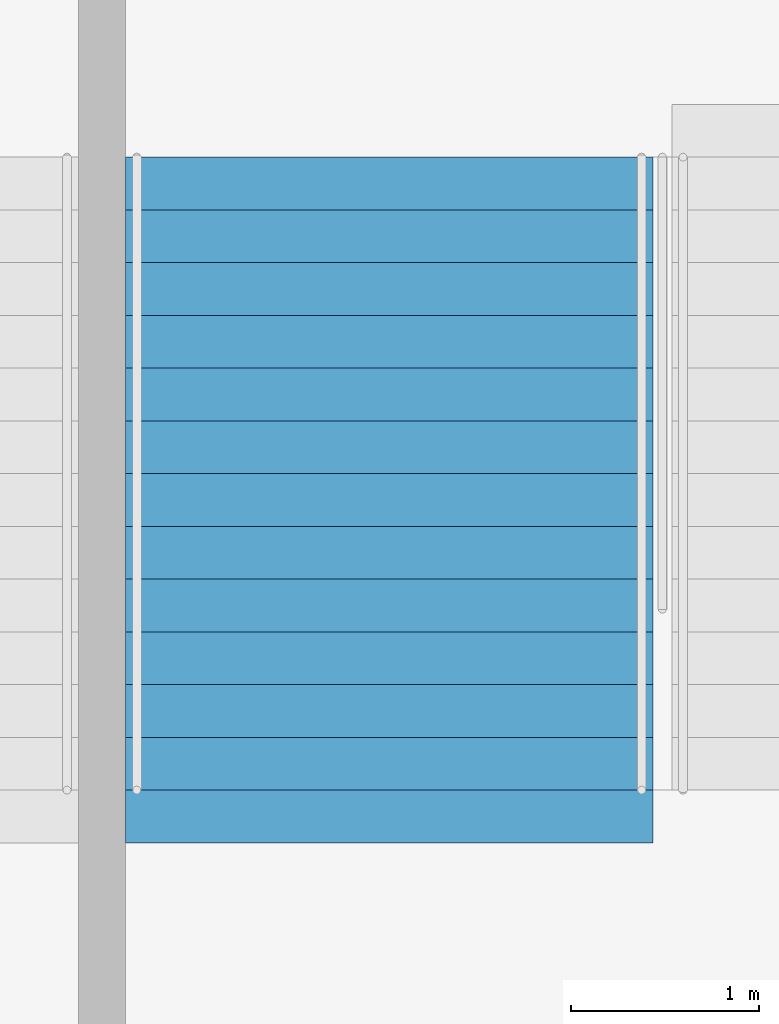
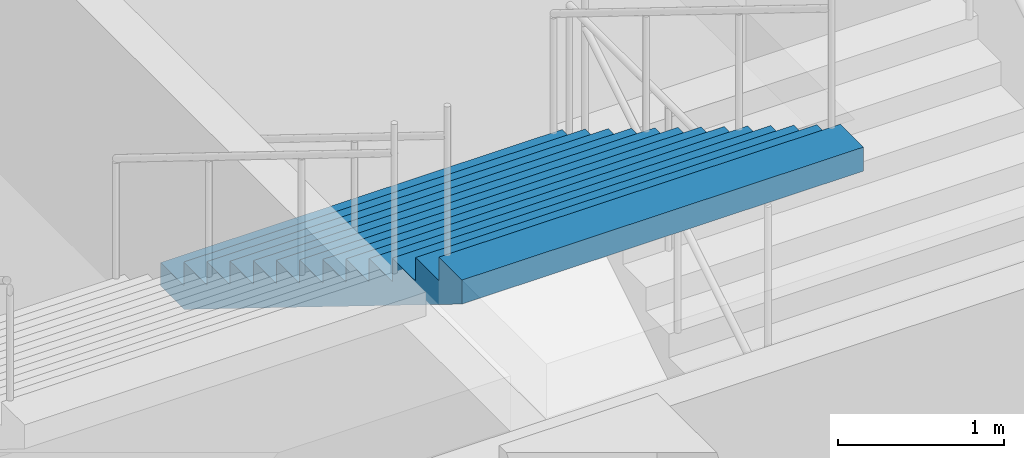
# One storey, part 134 of 175: 1 stair flight, 1 element without a shape of its own.
"""IFC4 building model written with IfcOpenShell, lengths in metres."""

from ifc_helpers import new_model, si_unit, direction, frame, origin, place, context, subcontext, project, spatial, faceted_brep, material, type_object, element, aggregate, save


model = new_model("IFC4")

# Units and contexts
model_context = context("Model", 3, precision=1e-05, world=origin(), true_north=direction((0.0, 1.0)))
body_context = subcontext(model_context, "Body", "Model", "MODEL_VIEW")
ifc_project = project(units=[si_unit("LENGTHUNIT", "METRE"), si_unit("AREAUNIT", "SQUARE_METRE"), si_unit("VOLUMEUNIT", "CUBIC_METRE"), si_unit("PLANEANGLEUNIT", "RADIAN"), si_unit("MASSUNIT", "GRAM", prefix="KILO")], contexts=[model_context])

# Site, building, storey
site_placement = place(None, origin())
site = spatial("IfcSite", under=ifc_project, at=site_placement, CompositionType="ELEMENT")
building_placement = place(site_placement, origin())
building = spatial("IfcBuilding", under=site, at=building_placement, Name="Ogive Plaza Stadium", CompositionType="ELEMENT")
storey_placement = place(building_placement, origin())
storey = spatial("IfcBuildingStorey", under=building, at=storey_placement, Name="L00", CompositionType="ELEMENT", Elevation=0.0)

# Stair, stair flight
ifc_material_1 = material(Name="Concrete C40/50", Category="concrete")
stair_type = type_object("IfcStairType", Name="Exit stair", PredefinedType="STRAIGHT_RUN_STAIR", material=ifc_material_1)
stair_placement = place(storey_placement, origin())
stair = element("IfcStair", 1, at=stair_placement, inside=storey, type_object=stair_type, Name="Exit stair ST34A L00 to L01", PredefinedType="STRAIGHT_RUN_STAIR")
ifc_material_2 = material(Name="Concrete C40/50", Category="concrete")
stair_flight_type = type_object("IfcStairFlightType", Name="Exit stair flight", PredefinedType="STRAIGHT", material=ifc_material_2)
stair_flight_placement = place(storey_placement, frame((-5.27490234375, 98.2099609375, 2.25), z_axis=(0.0, 0.0, 1.0), x_axis=(0.0, -1.0, 0.0)))
stair_flight = element("IfcStairFlight", 2, at=stair_flight_placement, type_object=stair_flight_type, Name="ST34A flight 2", NumberOfRisers=13, NumberOfTreads=12, PredefinedType="STRAIGHT", RiserHeight=0.173076923, TreadLength=0.28, context=body_context, shape_type="Brep", body=[
    faceted_brep([(0.28515625, -1.39990234375, 0.0), (3.639892578125, -1.39990234375, 2.07373046875), (3.639892578125, -1.39990234375, 2.25), (3.360107421875, -1.39990234375, 2.25), (3.360107421875, -1.39990234375, 2.076904296875), (3.080078125, -1.39990234375, 2.076904296875), (3.080078125, -1.39990234375, 1.90380859375), (2.800048828125, -1.39990234375, 1.90380859375), (2.800048828125, -1.39990234375, 1.730712890625), (2.52001953125, -1.39990234375, 1.730712890625), (2.52001953125, -1.39990234375, 1.5576171875), (2.239990234375, -1.39990234375, 1.5576171875), (2.239990234375, -1.39990234375, 1.384521484375), (1.9599609375, -1.39990234375, 1.384521484375), (1.9599609375, -1.39990234375, 1.21142578125), (1.679931640625, -1.39990234375, 1.21142578125), (1.679931640625, -1.39990234375, 1.03857421875), (1.39990234375, -1.39990234375, 1.03857421875), (1.39990234375, -1.39990234375, 0.865478515625), (1.1201171875, -1.39990234375, 0.865478515625), (1.1201171875, -1.39990234375, 0.6923828125), (0.840087890625, -1.39990234375, 0.6923828125), (0.840087890625, -1.39990234375, 0.519287109375), (0.56005859375, -1.39990234375, 0.519287109375), (0.56005859375, -1.39990234375, 0.34619140625), (0.280029296875, -1.39990234375, 0.34619140625), (0.280029296875, -1.39990234375, 0.173095703125), (0.0, -1.39990234375, 0.173095703125), (0.0, -1.39990234375, 0.0), (0.0, 1.39990234375, 0.0), (0.0, 1.39990234375, 0.173095703125), (0.280029296875, 1.39990234375, 0.173095703125), (0.280029296875, 1.39990234375, 0.34619140625), (0.56005859375, 1.39990234375, 0.34619140625), (0.56005859375, 1.39990234375, 0.519287109375), (0.840087890625, 1.39990234375, 0.519287109375), (0.840087890625, 1.39990234375, 0.6923828125), (1.1201171875, 1.39990234375, 0.6923828125), (1.1201171875, 1.39990234375, 0.865478515625), (1.39990234375, 1.39990234375, 0.865478515625), (1.39990234375, 1.39990234375, 1.03857421875), (1.679931640625, 1.39990234375, 1.03857421875), (1.679931640625, 1.39990234375, 1.21142578125), (1.9599609375, 1.39990234375, 1.21142578125), (1.9599609375, 1.39990234375, 1.384521484375), (2.239990234375, 1.39990234375, 1.384521484375), (2.239990234375, 1.39990234375, 1.5576171875), (2.52001953125, 1.39990234375, 1.5576171875), (2.52001953125, 1.39990234375, 1.730712890625), (2.800048828125, 1.39990234375, 1.730712890625), (2.800048828125, 1.39990234375, 1.90380859375), (3.080078125, 1.39990234375, 1.90380859375), (3.080078125, 1.39990234375, 2.076904296875), (3.360107421875, 1.39990234375, 2.076904296875), (3.360107421875, 1.39990234375, 2.25), (3.639892578125, 1.39990234375, 2.25), (3.639892578125, 1.39990234375, 2.07373046875), (0.28515625, 1.39990234375, 0.0), (0.28515625, -1.0888671875, 0.0), (3.639892578125, -1.0888671875, 2.07373046875), (0.28515625, -0.77783203125, 0.0), (3.639892578125, -0.77783203125, 2.07373046875), (0.28515625, -0.466796875, 0.0), (3.639892578125, -0.466796875, 2.07373046875), (0.28515625, -0.155517578125, 0.0), (3.639892578125, -0.155517578125, 2.07373046875), (0.28515625, 0.155517578125, 0.0), (3.639892578125, 0.155517578125, 2.07373046875), (0.28515625, 0.466796875, 0.0), (3.639892578125, 0.466796875, 2.07373046875), (0.28515625, 0.77783203125, 0.0), (3.639892578125, 0.77783203125, 2.07373046875), (0.28515625, 1.0888671875, 0.0), (3.639892578125, 1.0888671875, 2.07373046875), (3.639892578125, -1.0888671875, 2.25), (3.639892578125, -0.77783203125, 2.25), (3.639892578125, -0.466796875, 2.25), (3.639892578125, -0.155517578125, 2.25), (3.639892578125, 0.155517578125, 2.25), (3.639892578125, 0.466796875, 2.25), (3.639892578125, 0.77783203125, 2.25), (3.639892578125, 1.0888671875, 2.25), (3.360107421875, -1.0888671875, 2.25), (3.360107421875, -0.77783203125, 2.25), (3.360107421875, -0.466796875, 2.25), (3.360107421875, -0.155517578125, 2.25), (3.360107421875, 0.155517578125, 2.25), (3.360107421875, 0.466796875, 2.25), (3.360107421875, 0.77783203125, 2.25), (3.360107421875, 1.0888671875, 2.25), (3.360107421875, -1.0888671875, 2.076904296875), (3.360107421875, -0.77783203125, 2.076904296875), (3.360107421875, -0.466796875, 2.076904296875), (3.360107421875, -0.155517578125, 2.076904296875), (3.360107421875, 0.155517578125, 2.076904296875), (3.360107421875, 0.466796875, 2.076904296875), (3.360107421875, 0.77783203125, 2.076904296875), (3.360107421875, 1.0888671875, 2.076904296875), (3.080078125, -1.0888671875, 2.076904296875), (3.080078125, -0.77783203125, 2.076904296875), (3.080078125, -0.466796875, 2.076904296875), (3.080078125, -0.155517578125, 2.076904296875), (3.080078125, 0.155517578125, 2.076904296875), (3.080078125, 0.466796875, 2.076904296875), (3.080078125, 0.77783203125, 2.076904296875), (3.080078125, 1.0888671875, 2.076904296875), (3.080078125, -1.0888671875, 1.90380859375), (3.080078125, -0.77783203125, 1.90380859375), (3.080078125, -0.466796875, 1.90380859375), (3.080078125, -0.155517578125, 1.90380859375), (3.080078125, 0.155517578125, 1.90380859375), (3.080078125, 0.466796875, 1.90380859375), (3.080078125, 0.77783203125, 1.90380859375), (3.080078125, 1.0888671875, 1.90380859375), (2.800048828125, -1.0888671875, 1.90380859375), (2.800048828125, -0.77783203125, 1.90380859375), (2.800048828125, -0.466796875, 1.90380859375), (2.800048828125, -0.155517578125, 1.90380859375), (2.800048828125, 0.155517578125, 1.90380859375), (2.800048828125, 0.466796875, 1.90380859375), (2.800048828125, 0.77783203125, 1.90380859375), (2.800048828125, 1.0888671875, 1.90380859375), (2.800048828125, -1.0888671875, 1.730712890625), (2.800048828125, -0.77783203125, 1.730712890625), (2.800048828125, -0.466796875, 1.730712890625), (2.800048828125, -0.155517578125, 1.730712890625), (2.800048828125, 0.155517578125, 1.730712890625), (2.800048828125, 0.466796875, 1.730712890625), (2.800048828125, 0.77783203125, 1.730712890625), (2.800048828125, 1.0888671875, 1.730712890625), (2.52001953125, -1.0888671875, 1.730712890625), (2.52001953125, -0.77783203125, 1.730712890625), (2.52001953125, -0.466796875, 1.730712890625), (2.52001953125, -0.155517578125, 1.730712890625), (2.52001953125, 0.155517578125, 1.730712890625), (2.52001953125, 0.466796875, 1.730712890625), (2.52001953125, 0.77783203125, 1.730712890625), (2.52001953125, 1.0888671875, 1.730712890625), (2.52001953125, -1.0888671875, 1.5576171875), (2.52001953125, -0.77783203125, 1.5576171875), (2.52001953125, -0.466796875, 1.5576171875), (2.52001953125, -0.155517578125, 1.5576171875), (2.52001953125, 0.155517578125, 1.5576171875), (2.52001953125, 0.466796875, 1.5576171875), (2.52001953125, 0.77783203125, 1.5576171875), (2.52001953125, 1.0888671875, 1.5576171875), (2.239990234375, -1.0888671875, 1.5576171875), (2.239990234375, -0.77783203125, 1.5576171875), (2.239990234375, -0.466796875, 1.5576171875), (2.239990234375, -0.155517578125, 1.5576171875), (2.239990234375, 0.155517578125, 1.5576171875), (2.239990234375, 0.466796875, 1.5576171875), (2.239990234375, 0.77783203125, 1.5576171875), (2.239990234375, 1.0888671875, 1.5576171875), (2.239990234375, -1.0888671875, 1.384521484375), (2.239990234375, -0.77783203125, 1.384521484375), (2.239990234375, -0.466796875, 1.384521484375), (2.239990234375, -0.155517578125, 1.384521484375), (2.239990234375, 0.155517578125, 1.384521484375), (2.239990234375, 0.466796875, 1.384521484375), (2.239990234375, 0.77783203125, 1.384521484375), (2.239990234375, 1.0888671875, 1.384521484375), (1.9599609375, -1.0888671875, 1.384521484375), (1.9599609375, -0.77783203125, 1.384521484375), (1.9599609375, -0.466796875, 1.384521484375), (1.9599609375, -0.155517578125, 1.384521484375), (1.9599609375, 0.155517578125, 1.384521484375), (1.9599609375, 0.466796875, 1.384521484375), (1.9599609375, 0.77783203125, 1.384521484375), (1.9599609375, 1.0888671875, 1.384521484375), (1.9599609375, -1.0888671875, 1.21142578125), (1.9599609375, -0.77783203125, 1.21142578125), (1.9599609375, -0.466796875, 1.21142578125), (1.9599609375, -0.155517578125, 1.21142578125), (1.9599609375, 0.155517578125, 1.21142578125), (1.9599609375, 0.466796875, 1.21142578125), (1.9599609375, 0.77783203125, 1.21142578125), (1.9599609375, 1.0888671875, 1.21142578125), (1.679931640625, -1.0888671875, 1.21142578125), (1.679931640625, -0.77783203125, 1.21142578125), (1.679931640625, -0.466796875, 1.21142578125), (1.679931640625, -0.155517578125, 1.21142578125), (1.679931640625, 0.155517578125, 1.21142578125), (1.679931640625, 0.466796875, 1.21142578125), (1.679931640625, 0.77783203125, 1.21142578125), (1.679931640625, 1.0888671875, 1.21142578125), (1.679931640625, -1.0888671875, 1.03857421875), (1.679931640625, -0.77783203125, 1.03857421875), (1.679931640625, -0.466796875, 1.03857421875), (1.679931640625, -0.155517578125, 1.03857421875), (1.679931640625, 0.155517578125, 1.03857421875), (1.679931640625, 0.466796875, 1.03857421875), (1.679931640625, 0.77783203125, 1.03857421875), (1.679931640625, 1.0888671875, 1.03857421875), (1.39990234375, -1.0888671875, 1.03857421875), (1.39990234375, -0.77783203125, 1.03857421875), (1.39990234375, -0.466796875, 1.03857421875), (1.39990234375, -0.155517578125, 1.03857421875), (1.39990234375, 0.155517578125, 1.03857421875), (1.39990234375, 0.466796875, 1.03857421875), (1.39990234375, 0.77783203125, 1.03857421875), (1.39990234375, 1.0888671875, 1.03857421875), (1.39990234375, -1.0888671875, 0.865478515625), (1.39990234375, -0.77783203125, 0.865478515625), (1.39990234375, -0.466796875, 0.865478515625), (1.39990234375, -0.155517578125, 0.865478515625), (1.39990234375, 0.155517578125, 0.865478515625), (1.39990234375, 0.466796875, 0.865478515625), (1.39990234375, 0.77783203125, 0.865478515625), (1.39990234375, 1.0888671875, 0.865478515625), (1.1201171875, -1.0888671875, 0.865478515625), (1.1201171875, -0.77783203125, 0.865478515625), (1.1201171875, -0.466796875, 0.865478515625), (1.1201171875, -0.155517578125, 0.865478515625), (1.1201171875, 0.155517578125, 0.865478515625), (1.1201171875, 0.466796875, 0.865478515625), (1.1201171875, 0.77783203125, 0.865478515625), (1.1201171875, 1.0888671875, 0.865478515625), (1.1201171875, -1.0888671875, 0.6923828125), (1.1201171875, -0.77783203125, 0.6923828125), (1.1201171875, -0.466796875, 0.6923828125), (1.1201171875, -0.155517578125, 0.6923828125), (1.1201171875, 0.155517578125, 0.6923828125), (1.1201171875, 0.466796875, 0.6923828125), (1.1201171875, 0.77783203125, 0.6923828125), (1.1201171875, 1.0888671875, 0.6923828125), (0.840087890625, -1.0888671875, 0.6923828125), (0.840087890625, -0.77783203125, 0.6923828125), (0.840087890625, -0.466796875, 0.6923828125), (0.840087890625, -0.155517578125, 0.6923828125), (0.840087890625, 0.155517578125, 0.6923828125), (0.840087890625, 0.466796875, 0.6923828125), (0.840087890625, 0.77783203125, 0.6923828125), (0.840087890625, 1.0888671875, 0.6923828125), (0.840087890625, -1.0888671875, 0.519287109375), (0.840087890625, -0.77783203125, 0.519287109375), (0.840087890625, -0.466796875, 0.519287109375), (0.840087890625, -0.155517578125, 0.519287109375), (0.840087890625, 0.155517578125, 0.519287109375), (0.840087890625, 0.466796875, 0.519287109375), (0.840087890625, 0.77783203125, 0.519287109375), (0.840087890625, 1.0888671875, 0.519287109375), (0.56005859375, -1.0888671875, 0.519287109375), (0.56005859375, -0.77783203125, 0.519287109375), (0.56005859375, -0.466796875, 0.519287109375), (0.56005859375, -0.155517578125, 0.519287109375), (0.56005859375, 0.155517578125, 0.519287109375), (0.56005859375, 0.466796875, 0.519287109375), (0.56005859375, 0.77783203125, 0.519287109375), (0.56005859375, 1.0888671875, 0.519287109375), (0.56005859375, -1.0888671875, 0.34619140625), (0.56005859375, -0.77783203125, 0.34619140625), (0.56005859375, -0.466796875, 0.34619140625), (0.56005859375, -0.155517578125, 0.34619140625), (0.56005859375, 0.155517578125, 0.34619140625), (0.56005859375, 0.466796875, 0.34619140625), (0.56005859375, 0.77783203125, 0.34619140625), (0.56005859375, 1.0888671875, 0.34619140625), (0.280029296875, -1.0888671875, 0.34619140625), (0.280029296875, -0.77783203125, 0.34619140625), (0.280029296875, -0.466796875, 0.34619140625), (0.280029296875, -0.155517578125, 0.34619140625), (0.280029296875, 0.155517578125, 0.34619140625), (0.280029296875, 0.466796875, 0.34619140625), (0.280029296875, 0.77783203125, 0.34619140625), (0.280029296875, 1.0888671875, 0.34619140625), (0.280029296875, -1.0888671875, 0.173095703125), (0.280029296875, -0.77783203125, 0.173095703125), (0.280029296875, -0.466796875, 0.173095703125), (0.280029296875, -0.155517578125, 0.173095703125), (0.280029296875, 0.155517578125, 0.173095703125), (0.280029296875, 0.466796875, 0.173095703125), (0.280029296875, 0.77783203125, 0.173095703125), (0.280029296875, 1.0888671875, 0.173095703125), (0.0, -1.0888671875, 0.173095703125), (0.0, -0.77783203125, 0.173095703125), (0.0, -0.466796875, 0.173095703125), (0.0, -0.155517578125, 0.173095703125), (0.0, 0.155517578125, 0.173095703125), (0.0, 0.466796875, 0.173095703125), (0.0, 0.77783203125, 0.173095703125), (0.0, 1.0888671875, 0.173095703125), (0.0, -1.0888671875, 0.0), (0.0, -0.77783203125, 0.0), (0.0, -0.466796875, 0.0), (0.0, -0.155517578125, 0.0), (0.0, 0.155517578125, 0.0), (0.0, 0.466796875, 0.0), (0.0, 0.77783203125, 0.0), (0.0, 1.0888671875, 0.0)], [[[0, 1, 2, 3, 4, 5, 6, 7, 8, 9, 10, 11, 12, 13, 14, 15, 16, 17, 18, 19, 20, 21, 22, 23, 24, 25, 26, 27, 28]], [[29, 30, 31, 32, 33, 34, 35, 36, 37, 38, 39, 40, 41, 42, 43, 44, 45, 46, 47, 48, 49, 50, 51, 52, 53, 54, 55, 56, 57]], [[0, 58, 59, 1]], [[58, 60, 61, 59]], [[60, 62, 63, 61]], [[62, 64, 65, 63]], [[64, 66, 67, 65]], [[66, 68, 69, 67]], [[68, 70, 71, 69]], [[70, 72, 73, 71]], [[72, 57, 56, 73]], [[1, 59, 74, 2]], [[59, 61, 75, 74]], [[61, 63, 76, 75]], [[63, 65, 77, 76]], [[65, 67, 78, 77]], [[67, 69, 79, 78]], [[69, 71, 80, 79]], [[71, 73, 81, 80]], [[73, 56, 55, 81]], [[2, 74, 82, 3]], [[74, 75, 83, 82]], [[75, 76, 84, 83]], [[76, 77, 85, 84]], [[77, 78, 86, 85]], [[78, 79, 87, 86]], [[79, 80, 88, 87]], [[80, 81, 89, 88]], [[81, 55, 54, 89]], [[3, 82, 90, 4]], [[82, 83, 91, 90]], [[83, 84, 92, 91]], [[84, 85, 93, 92]], [[85, 86, 94, 93]], [[86, 87, 95, 94]], [[87, 88, 96, 95]], [[88, 89, 97, 96]], [[89, 54, 53, 97]], [[4, 90, 98, 5]], [[90, 91, 99, 98]], [[91, 92, 100, 99]], [[92, 93, 101, 100]], [[93, 94, 102, 101]], [[94, 95, 103, 102]], [[95, 96, 104, 103]], [[96, 97, 105, 104]], [[97, 53, 52, 105]], [[5, 98, 106, 6]], [[98, 99, 107, 106]], [[99, 100, 108, 107]], [[100, 101, 109, 108]], [[101, 102, 110, 109]], [[102, 103, 111, 110]], [[103, 104, 112, 111]], [[104, 105, 113, 112]], [[105, 52, 51, 113]], [[6, 106, 114, 7]], [[106, 107, 115, 114]], [[107, 108, 116, 115]], [[108, 109, 117, 116]], [[109, 110, 118, 117]], [[110, 111, 119, 118]], [[111, 112, 120, 119]], [[112, 113, 121, 120]], [[113, 51, 50, 121]], [[7, 114, 122, 8]], [[114, 115, 123, 122]], [[115, 116, 124, 123]], [[116, 117, 125, 124]], [[117, 118, 126, 125]], [[118, 119, 127, 126]], [[119, 120, 128, 127]], [[120, 121, 129, 128]], [[121, 50, 49, 129]], [[8, 122, 130, 9]], [[122, 123, 131, 130]], [[123, 124, 132, 131]], [[124, 125, 133, 132]], [[125, 126, 134, 133]], [[126, 127, 135, 134]], [[127, 128, 136, 135]], [[128, 129, 137, 136]], [[129, 49, 48, 137]], [[9, 130, 138, 10]], [[130, 131, 139, 138]], [[131, 132, 140, 139]], [[132, 133, 141, 140]], [[133, 134, 142, 141]], [[134, 135, 143, 142]], [[135, 136, 144, 143]], [[136, 137, 145, 144]], [[137, 48, 47, 145]], [[10, 138, 146, 11]], [[138, 139, 147, 146]], [[139, 140, 148, 147]], [[140, 141, 149, 148]], [[141, 142, 150, 149]], [[142, 143, 151, 150]], [[143, 144, 152, 151]], [[144, 145, 153, 152]], [[145, 47, 46, 153]], [[11, 146, 154, 12]], [[146, 147, 155, 154]], [[147, 148, 156, 155]], [[148, 149, 157, 156]], [[149, 150, 158, 157]], [[150, 151, 159, 158]], [[151, 152, 160, 159]], [[152, 153, 161, 160]], [[153, 46, 45, 161]], [[12, 154, 162, 13]], [[154, 155, 163, 162]], [[155, 156, 164, 163]], [[156, 157, 165, 164]], [[157, 158, 166, 165]], [[158, 159, 167, 166]], [[159, 160, 168, 167]], [[160, 161, 169, 168]], [[161, 45, 44, 169]], [[13, 162, 170, 14]], [[162, 163, 171, 170]], [[163, 164, 172, 171]], [[164, 165, 173, 172]], [[165, 166, 174, 173]], [[166, 167, 175, 174]], [[167, 168, 176, 175]], [[168, 169, 177, 176]], [[169, 44, 43, 177]], [[14, 170, 178, 15]], [[170, 171, 179, 178]], [[171, 172, 180, 179]], [[172, 173, 181, 180]], [[173, 174, 182, 181]], [[174, 175, 183, 182]], [[175, 176, 184, 183]], [[176, 177, 185, 184]], [[177, 43, 42, 185]], [[15, 178, 186, 16]], [[178, 179, 187, 186]], [[179, 180, 188, 187]], [[180, 181, 189, 188]], [[181, 182, 190, 189]], [[182, 183, 191, 190]], [[183, 184, 192, 191]], [[184, 185, 193, 192]], [[185, 42, 41, 193]], [[16, 186, 194, 17]], [[186, 187, 195, 194]], [[187, 188, 196, 195]], [[188, 189, 197, 196]], [[189, 190, 198, 197]], [[190, 191, 199, 198]], [[191, 192, 200, 199]], [[192, 193, 201, 200]], [[193, 41, 40, 201]], [[17, 194, 202, 18]], [[194, 195, 203, 202]], [[195, 196, 204, 203]], [[196, 197, 205, 204]], [[197, 198, 206, 205]], [[198, 199, 207, 206]], [[199, 200, 208, 207]], [[200, 201, 209, 208]], [[201, 40, 39, 209]], [[18, 202, 210, 19]], [[202, 203, 211, 210]], [[203, 204, 212, 211]], [[204, 205, 213, 212]], [[205, 206, 214, 213]], [[206, 207, 215, 214]], [[207, 208, 216, 215]], [[208, 209, 217, 216]], [[209, 39, 38, 217]], [[19, 210, 218, 20]], [[210, 211, 219, 218]], [[211, 212, 220, 219]], [[212, 213, 221, 220]], [[213, 214, 222, 221]], [[214, 215, 223, 222]], [[215, 216, 224, 223]], [[216, 217, 225, 224]], [[217, 38, 37, 225]], [[20, 218, 226, 21]], [[218, 219, 227, 226]], [[219, 220, 228, 227]], [[220, 221, 229, 228]], [[221, 222, 230, 229]], [[222, 223, 231, 230]], [[223, 224, 232, 231]], [[224, 225, 233, 232]], [[225, 37, 36, 233]], [[21, 226, 234, 22]], [[226, 227, 235, 234]], [[227, 228, 236, 235]], [[228, 229, 237, 236]], [[229, 230, 238, 237]], [[230, 231, 239, 238]], [[231, 232, 240, 239]], [[232, 233, 241, 240]], [[233, 36, 35, 241]], [[22, 234, 242, 23]], [[234, 235, 243, 242]], [[235, 236, 244, 243]], [[236, 237, 245, 244]], [[237, 238, 246, 245]], [[238, 239, 247, 246]], [[239, 240, 248, 247]], [[240, 241, 249, 248]], [[241, 35, 34, 249]], [[23, 242, 250, 24]], [[242, 243, 251, 250]], [[243, 244, 252, 251]], [[244, 245, 253, 252]], [[245, 246, 254, 253]], [[246, 247, 255, 254]], [[247, 248, 256, 255]], [[248, 249, 257, 256]], [[249, 34, 33, 257]], [[24, 250, 258, 25]], [[250, 251, 259, 258]], [[251, 252, 260, 259]], [[252, 253, 261, 260]], [[253, 254, 262, 261]], [[254, 255, 263, 262]], [[255, 256, 264, 263]], [[256, 257, 265, 264]], [[257, 33, 32, 265]], [[25, 258, 266, 26]], [[258, 259, 267, 266]], [[259, 260, 268, 267]], [[260, 261, 269, 268]], [[261, 262, 270, 269]], [[262, 263, 271, 270]], [[263, 264, 272, 271]], [[264, 265, 273, 272]], [[265, 32, 31, 273]], [[26, 266, 274, 27]], [[266, 267, 275, 274]], [[267, 268, 276, 275]], [[268, 269, 277, 276]], [[269, 270, 278, 277]], [[270, 271, 279, 278]], [[271, 272, 280, 279]], [[272, 273, 281, 280]], [[273, 31, 30, 281]], [[27, 274, 282, 28]], [[274, 275, 283, 282]], [[275, 276, 284, 283]], [[276, 277, 285, 284]], [[277, 278, 286, 285]], [[278, 279, 287, 286]], [[279, 280, 288, 287]], [[280, 281, 289, 288]], [[281, 30, 29, 289]], [[28, 282, 58, 0]], [[282, 283, 60, 58]], [[283, 284, 62, 60]], [[284, 285, 64, 62]], [[285, 286, 66, 64]], [[286, 287, 68, 66]], [[287, 288, 70, 68]], [[288, 289, 72, 70]], [[289, 29, 57, 72]]]),
])
aggregate(stair, [stair_flight])

save(model, "model.ifc")
